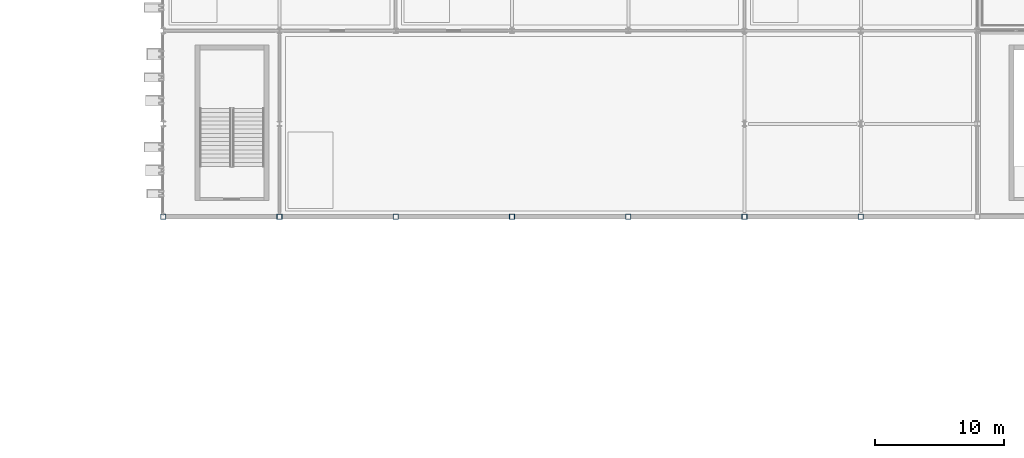
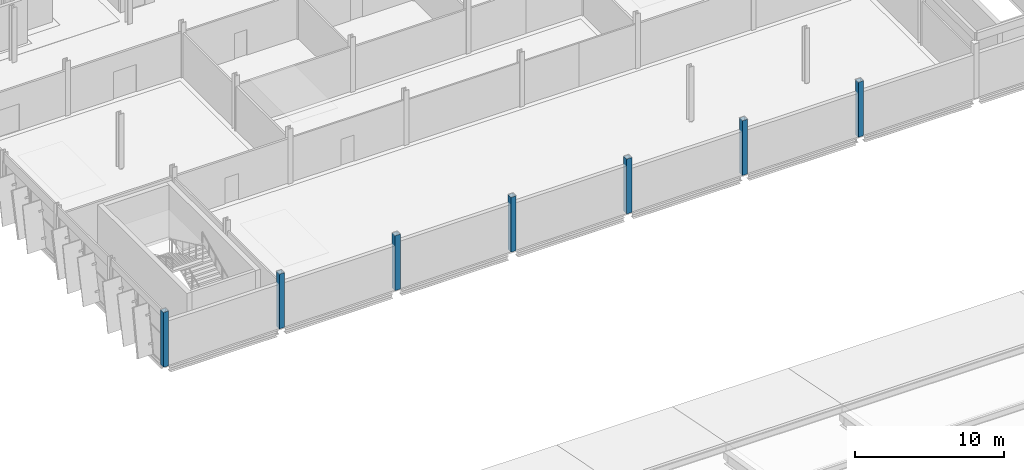
# One storey, part 1 of 78: 7 columns.
"""IFC4 building model written with IfcOpenShell, lengths in metres."""

from ifc_helpers import new_model, si_unit, direction, frame, origin, origin_2d, place, context, subcontext, project, spatial, hollow_rectangle, extrude, material, material_profile, profile_set, type_object, element, save


model = new_model("IFC4")

# Units and contexts
model_context = context("Model", 3, precision=1e-05, world=origin(), true_north=direction((0.0, 1.0)))
body_context = subcontext(model_context, "Body", "Model", "MODEL_VIEW")
ifc_project = project(units=[si_unit("LENGTHUNIT", "METRE"), si_unit("AREAUNIT", "SQUARE_METRE"), si_unit("VOLUMEUNIT", "CUBIC_METRE"), si_unit("PLANEANGLEUNIT", "RADIAN"), si_unit("MASSUNIT", "GRAM", prefix="KILO")], contexts=[model_context])

# Site, building, storey
site_placement = place(None, origin())
site = spatial("IfcSite", under=ifc_project, at=site_placement, CompositionType="ELEMENT")
building_placement = place(site_placement, origin())
building = spatial("IfcBuilding", under=site, at=building_placement, Name="Celestram Park Convention Centre", CompositionType="ELEMENT")
storey_placement = place(building_placement, frame((0.0, 0.0, 19.800048828125)))
storey = spatial("IfcBuildingStorey", under=building, at=storey_placement, Name="L04", CompositionType="ELEMENT", Elevation=19.800048828125)

# Columns
ifc_material = material(Name="Steel ASTM A500 Grade C", Category="steel")
ifc_material_profile = material_profile(ifc_material, hollow_rectangle(XDim=0.39990234375, YDim=0.39990234375, WallThickness=0.01611328125, at=origin_2d()), Name="HSS400X400X16")
ifc_profile_set = profile_set([ifc_material_profile], Name="Steel ASTM A500 Grade C")
column_type = type_object("IfcColumnType", Name="STR-COL-HSS400", PredefinedType="COLUMN", material=ifc_profile_set)
for number, where, z_axis, x_axis, name in (
    (1, (36.0, 108.0, 0.0), (0.0, 0.0, 1.0), (1.0, 0.0, 0.0), "Column CN-L04-001"),
    (2, (45.0, 108.0, 0.0), (0.0, 0.0, 1.0), (1.0, 0.0, 0.0), "Column CN-L04-010"),
    (3, (54.0, 108.0, 0.0), (0.0, 0.0, 1.0), (1.0, 0.0, 0.0), "Column CN-L04-019"),
    (4, (63.0, 108.0, 0.0), (0.0, 0.0, 1.0), (1.0, 0.0, 0.0), "Column CN-L04-027"),
    (5, (72.0, 108.0, 0.0), (0.0, 0.0, 1.0), (1.0, 0.0, 0.0), "Column CN-L04-035"),
    (6, (81.0, 108.0, 0.0), (0.0, 0.0, 1.0), (1.0, 0.0, 0.0), "Column CN-L04-043"),
    (7, (90.0, 108.0, 0.0), (0.0, 0.0, 1.0), (1.0, 0.0, 0.0), "Column CN-L04-052"),
):
    element("IfcColumn", number, at=place(storey_placement, frame(where, z_axis=z_axis, x_axis=x_axis)), inside=storey, type_object=column_type, Name=name, PredefinedType="COLUMN", context=body_context, shape_type="SweptSolid", body=[
        extrude(hollow_rectangle(XDim=0.39990234375, YDim=0.39990234375, WallThickness=0.01611328125, at=origin_2d()), origin(), (0.0, 0.0, 1.0), 4.5),
    ])

save(model, "model.ifc")
